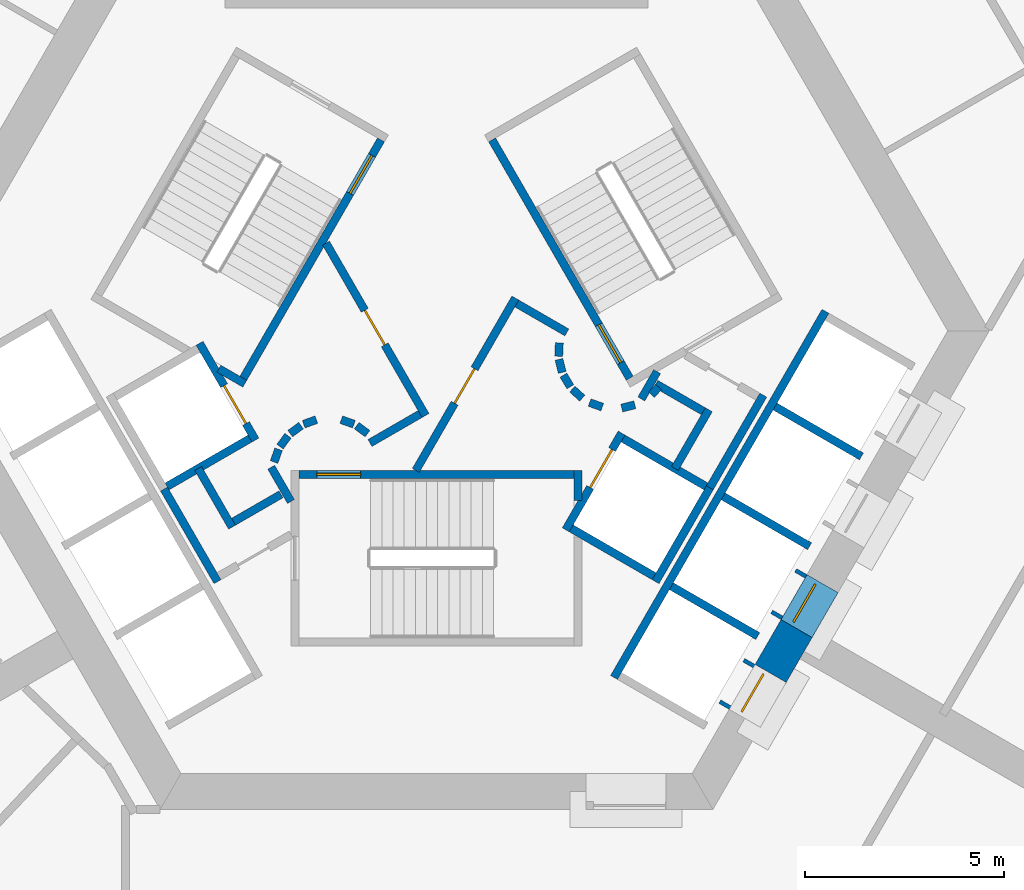
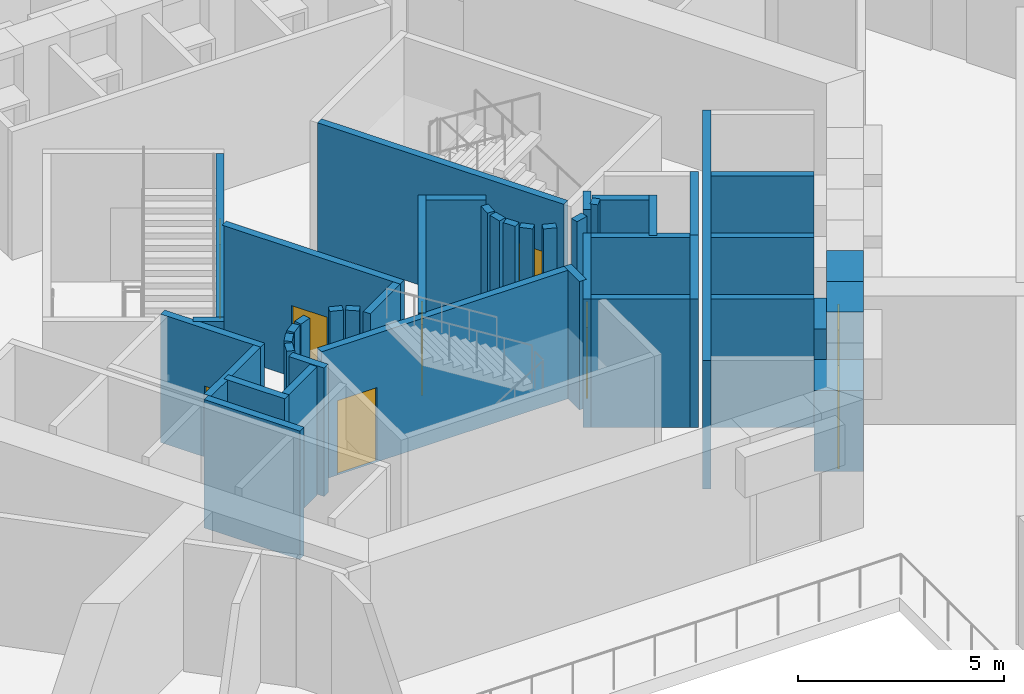
# One storey, part 7 of 15: 44 walls, 9 doors, 9 openings.
"""IFC4 building model written with IfcOpenShell, lengths in metres."""

from ifc_helpers import new_model, si_unit, direction, frame, frame_2d, origin, place, context, subcontext, project, spatial, polyline, rectangle, outline, extrude, material, layer, layer_set, type_object, element, fill, save


model = new_model("IFC4")

# Units and contexts
model_context = context("Model", 3, precision=1e-05, world=origin(), true_north=direction((0.0, 1.0)))
body_context = subcontext(model_context, "Body", "Model", "MODEL_VIEW")
ifc_project = project(units=[si_unit("LENGTHUNIT", "METRE"), si_unit("AREAUNIT", "SQUARE_METRE"), si_unit("VOLUMEUNIT", "CUBIC_METRE"), si_unit("PLANEANGLEUNIT", "RADIAN"), si_unit("MASSUNIT", "GRAM", prefix="KILO")], contexts=[model_context])

# Site, building, storey
site_placement = place(None, origin())
site = spatial("IfcSite", under=ifc_project, at=site_placement, CompositionType="ELEMENT")
building_placement = place(site_placement, origin())
building = spatial("IfcBuilding", under=site, at=building_placement, Name="Entoto Arch Interchange Tower", CompositionType="ELEMENT")
storey_placement = place(building_placement, frame((0.0, 0.0, 107.60009765625)))
storey = spatial("IfcBuildingStorey", under=building, at=storey_placement, Name="L23", CompositionType="ELEMENT", Elevation=107.60009765625)

# Walls
ifc_material_1 = material(Name="Concrete C60/75", Category="concrete")
ifc_layer_1 = layer(ifc_material_1, 0.89990234375)
ifc_layer_set_1 = layer_set([ifc_layer_1], Name="Concrete C60/75")
wall_type_1 = type_object("IfcWallType", Name="Core wall 900 C60/75", PredefinedType="SHEAR", material=ifc_layer_set_1)
wall_1_placement = place(storey_placement, frame((0.0, 0.0, -0.400146484375)))
element("IfcWall", 1, at=wall_1_placement, inside=storey, type_object=wall_type_1, Name="Core wall SE L23", PredefinedType="SHEAR", context=body_context, shape_type="SweptSolid", body=[
    extrude(outline(polyline([(9.4169921875, -5.18896484375), (8.637939453125, -4.739013671875), (7.988037109375, -5.864013671875), (8.76708984375, -6.31396484375), (9.4169921875, -5.18896484375)])), origin(), (0.0, 0.0, 1.0), 4.199951171875),
])
wall_2_placement = place(storey_placement, frame((0.0, 0.0, 3.599853515625)))
element("IfcWall", 2, at=wall_2_placement, inside=storey, type_object=wall_type_1, Name="Core wall lintel SE L23", PredefinedType="SHEAR", context=body_context, shape_type="SweptSolid", body=[
    extrude(outline(polyline([(10.06689453125, -4.06298828125), (9.2880859375, -3.613037109375), (8.637939453125, -4.739013671875), (9.4169921875, -5.18896484375), (10.06689453125, -4.06298828125)])), origin(), (0.0, 0.0, 1.0), 0.199951171875),
])

# Wall, opening, door
ifc_material_2 = material(Name="Concrete C40/50", Category="concrete")
ifc_layer_2 = layer(ifc_material_2, 1.199951171875)
ifc_layer_set_2 = layer_set([ifc_layer_2], Name="Concrete C40/50")
wall_type_2 = type_object("IfcWallType", Name="LIFT LANDING INFILL WALL", PredefinedType="STANDARD", material=ifc_layer_set_2)
wall_3_placement = place(storey_placement, frame((7.597900390625, -7.139892578125, 0.0), z_axis=(0.0, 0.0, 1.0), x_axis=(0.500362116554, 0.865816234728, 0.0)))
wall_3 = element("IfcWall", 3, at=wall_3_placement, inside=storey, type_object=wall_type_2, Name="Lift landing infill wall LR5 L23", PredefinedType="STANDARD", context=body_context, shape_type="SweptSolid", body=[
    extrude(rectangle(XDim=1.29931640625, YDim=1.199951171875, at=frame_2d((0.649658203125, 0.0))), origin(), (0.0, 0.0, 1.0), 2.39990234375),
])
opening_1_placement = place(wall_3_placement, frame((0.10009765625, 0.0, 0.0)))
opening_1 = element("IfcOpeningElement", 4, at=opening_1_placement, cuts=wall_3, Name="Opening LD-LR5-L23", PredefinedType="OPENING", context=body_context, shape_type="SweptSolid", body=[
    extrude(rectangle(XDim=1.10009765625, YDim=2.300048828125, at=frame_2d((0.550048828125, 1.14990234375))), frame((0.0, 0.60986328125, 0.0), z_axis=(0.0, -1.0, 0.0), x_axis=(1.0, 0.0, 0.0)), (0.0, 0.0, 1.0), 1.219970703125),
])
ifc_material_3 = material(Name="Stainless steel 1.4301 panels", Category="steel")
door_type_1 = type_object("IfcDoorType", Name="LIFT LANDING DOOR LD2 1100x2300", OperationType="SLIDING_TO_LEFT", PredefinedType="DOOR", material=ifc_material_3)
door_1_placement = place(opening_1_placement, origin())
door_1 = element("IfcDoor", 5, at=door_1_placement, inside=storey, type_object=door_type_1, Name="Lift landing door LR5 L23", OperationType="SLIDING_TO_LEFT", OverallHeight=2.300048828125, OverallWidth=1.10009765625, PredefinedType="DOOR", context=body_context, shape_type="SweptSolid", body=[
    extrude(rectangle(XDim=1.10009765625, YDim=2.300048828125, at=frame_2d((0.550048828125, 1.14990234375))), frame((0.0, 0.02490234375, 0.0), z_axis=(0.0, -1.0, 0.0), x_axis=(1.0, 0.0, 0.0)), (0.0, 0.0, 1.0), 0.050048828125),
])
fill(opening_1, door_1)

wall_4_placement = place(storey_placement, frame((8.89794921875, -4.888916015625, 0.0), z_axis=(0.0, 0.0, 1.0), x_axis=(0.500036693733, 0.866004217611, 0.0)))
wall_4 = element("IfcWall", 6, at=wall_4_placement, inside=storey, type_object=wall_type_2, Name="Lift landing infill wall LR6 L23", PredefinedType="STANDARD", context=body_context, shape_type="SweptSolid", body=[
    extrude(rectangle(XDim=1.30029296875, YDim=1.199951171875, at=frame_2d((0.650146484375, 0.0))), origin(), (0.0, 0.0, 1.0), 2.39990234375),
])
opening_2_placement = place(wall_4_placement, frame((0.10009765625, 0.0, 0.0)))
opening_2 = element("IfcOpeningElement", 7, at=opening_2_placement, cuts=wall_4, Name="Opening LD-LR6-L23", PredefinedType="OPENING", context=body_context, shape_type="SweptSolid", body=[
    extrude(rectangle(XDim=1.10009765625, YDim=2.300048828125, at=frame_2d((0.550048828125, 1.14990234375))), frame((0.0, 0.60986328125, 0.0), z_axis=(0.0, -1.0, 0.0), x_axis=(1.0, 0.0, 0.0)), (0.0, 0.0, 1.0), 1.219970703125),
])
door_2_placement = place(opening_2_placement, origin())
door_2 = element("IfcDoor", 8, at=door_2_placement, inside=storey, type_object=door_type_1, Name="Lift landing door LR6 L23", OperationType="SLIDING_TO_LEFT", OverallHeight=2.300048828125, OverallWidth=1.10009765625, PredefinedType="DOOR", context=body_context, shape_type="SweptSolid", body=[
    extrude(rectangle(XDim=1.10009765625, YDim=2.300048828125, at=frame_2d((0.550048828125, 1.14990234375))), frame((0.0, 0.02490234375, 0.0), z_axis=(0.0, -1.0, 0.0), x_axis=(1.0, 0.0, 0.0)), (0.0, 0.0, 1.0), 0.050048828125),
])
fill(opening_2, door_2)

ifc_layer_3 = layer(ifc_material_2, 0.199951171875)
ifc_layer_set_3 = layer_set([ifc_layer_3], Name="Concrete C40/50")
wall_type_3 = type_object("IfcWallType", Name="LIFT SHAFT WALL 200", PredefinedType="STANDARD", material=ifc_layer_set_3)
wall_5_placement = place(storey_placement, frame((-5.93994140625, 2.18798828125, 0.0), z_axis=(0.0, 0.0, 1.0), x_axis=(0.49994636267, -0.866056369097, 0.0)))
wall_5 = element("IfcWall", 9, at=wall_5_placement, inside=storey, type_object=wall_type_3, Name="Shaft wall SW1 front", PredefinedType="STANDARD", context=body_context, shape_type="SweptSolid", body=[
    extrude(rectangle(XDim=2.800048828125, YDim=0.199951171875, at=frame_2d((1.39990234375, 0.0))), origin(), (0.0, 0.0, 1.0), 3.7998046875),
])
opening_3_placement = place(wall_5_placement, frame((1.22509765625, 0.0, 0.0)))
opening_3 = element("IfcOpeningElement", 10, at=opening_3_placement, cuts=wall_5, Name="Opening LD-FF2-L23", PredefinedType="OPENING", context=body_context, shape_type="SweptSolid", body=[
    extrude(rectangle(XDim=1.10009765625, YDim=2.10009765625, at=frame_2d((0.550048828125, 1.050048828125))), frame((0.0, 0.10986328125, 0.0), z_axis=(0.0, -1.0, 0.0), x_axis=(1.0, 0.0, 0.0)), (0.0, 0.0, 1.0), 0.219970703125),
])
door_type_2 = type_object("IfcDoorType", Name="LIFT LANDING DOOR LD1 1100x2100", OperationType="SLIDING_TO_LEFT", PredefinedType="DOOR", material=ifc_material_3)
door_3_placement = place(opening_3_placement, origin())
door_3 = element("IfcDoor", 11, at=door_3_placement, inside=storey, type_object=door_type_2, Name="Lift landing door FF2 L23", OperationType="SLIDING_TO_LEFT", OverallHeight=2.10009765625, OverallWidth=1.10009765625, PredefinedType="DOOR", context=body_context, shape_type="SweptSolid", body=[
    extrude(rectangle(XDim=1.10009765625, YDim=2.10009765625, at=frame_2d((0.550048828125, 1.050048828125))), frame((0.0, 0.02490234375, 0.0), z_axis=(0.0, -1.0, 0.0), x_axis=(1.0, 0.0, 0.0)), (0.0, 0.0, 1.0), 0.050048828125),
])
fill(opening_3, door_3)

# Wall
wall_6_placement = place(storey_placement, frame((-4.677001953125, -0.199951171875, 0.0), z_axis=(0.0, 0.0, 1.0), x_axis=(-0.865973769406, -0.500089422704, 0.0)))
element("IfcWall", 12, at=wall_6_placement, inside=storey, type_object=wall_type_3, Name="Shaft wall SW1 cross 2", PredefinedType="STANDARD", context=body_context, shape_type="SweptSolid", body=[
    extrude(rectangle(XDim=2.3994140625, YDim=0.199951171875, at=frame_2d((1.19970703125, 0.0))), origin(), (0.0, 0.0, 1.0), 3.7998046875),
])

# Wall, opening, door
wall_7_placement = place(storey_placement, frame((3.239990234375, -2.488037109375, 0.0), z_axis=(0.0, 0.0, 1.0), x_axis=(0.49994636267, 0.866056369097, 0.0)))
wall_7 = element("IfcWall", 13, at=wall_7_placement, inside=storey, type_object=wall_type_3, Name="Shaft wall SE1 front", PredefinedType="STANDARD", context=body_context, shape_type="SweptSolid", body=[
    extrude(rectangle(XDim=2.800048828125, YDim=0.199951171875, at=frame_2d((1.39990234375, 0.0))), origin(), (0.0, 0.0, 1.0), 3.7998046875),
])
opening_4_placement = place(wall_7_placement, frame((1.22509765625, 0.0, 0.0)))
opening_4 = element("IfcOpeningElement", 14, at=opening_4_placement, cuts=wall_7, Name="Opening LD-FF1-L23", PredefinedType="OPENING", context=body_context, shape_type="SweptSolid", body=[
    extrude(rectangle(XDim=1.10009765625, YDim=2.10009765625, at=frame_2d((0.550048828125, 1.050048828125))), frame((0.0, 0.10986328125, 0.0), z_axis=(0.0, -1.0, 0.0), x_axis=(1.0, 0.0, 0.0)), (0.0, 0.0, 1.0), 0.219970703125),
])
door_4_placement = place(opening_4_placement, origin())
door_4 = element("IfcDoor", 15, at=door_4_placement, inside=storey, type_object=door_type_2, Name="Lift landing door FF1 L23", OperationType="SLIDING_TO_LEFT", OverallHeight=2.10009765625, OverallWidth=1.10009765625, PredefinedType="DOOR", context=body_context, shape_type="SweptSolid", body=[
    extrude(rectangle(XDim=1.10009765625, YDim=2.10009765625, at=frame_2d((0.550048828125, 1.050048828125))), frame((0.0, 0.02490234375, 0.0), z_axis=(0.0, -1.0, 0.0), x_axis=(1.0, 0.0, 0.0)), (0.0, 0.0, 1.0), 0.050048828125),
])
fill(opening_4, door_4)

# Walls
wall_8_placement = place(storey_placement, frame((5.491943359375, -3.7880859375, 0.0), z_axis=(0.0, 0.0, 1.0), x_axis=(0.500011755427, 0.866018616679, 0.0)))
element("IfcWall", 16, at=wall_8_placement, inside=storey, type_object=wall_type_3, Name="Shaft wall SE1 back", PredefinedType="STANDARD", context=body_context, shape_type="SweptSolid", body=[
    extrude(rectangle(XDim=2.80029296875, YDim=0.199951171875, at=frame_2d((1.400146484375, 0.0))), origin(), (0.0, 0.0, 1.0), 3.7998046875),
])
wall_9_placement = place(storey_placement, frame((3.376953125, -2.451904296875, 0.0), z_axis=(0.0, 0.0, 1.0), x_axis=(0.865955154139, -0.50012165622, 0.0)))
element("IfcWall", 17, at=wall_9_placement, inside=storey, type_object=wall_type_3, Name="Shaft wall SE1 cross 1", PredefinedType="STANDARD", context=body_context, shape_type="SweptSolid", body=[
    extrude(rectangle(XDim=2.39990234375, YDim=0.199951171875, at=frame_2d((1.199951171875, 0.0))), origin(), (0.0, 0.0, 1.0), 3.7998046875),
])
wall_10_placement = place(storey_placement, frame((4.677001953125, -0.199951171875, 0.0), z_axis=(0.0, 0.0, 1.0), x_axis=(0.865973769406, -0.500089422704, 0.0)))
element("IfcWall", 18, at=wall_10_placement, inside=storey, type_object=wall_type_3, Name="Shaft wall SE1 cross 2", PredefinedType="STANDARD", context=body_context, shape_type="SweptSolid", body=[
    extrude(rectangle(XDim=2.3994140625, YDim=0.199951171875, at=frame_2d((1.19970703125, 0.0))), origin(), (0.0, 0.0, 1.0), 3.7998046875),
])
wall_11_placement = place(storey_placement, frame((4.450927734375, -6.18994140625, 0.0), z_axis=(0.0, 0.0, 1.0), x_axis=(0.50000090737, 0.866024879913, 0.0)))
element("IfcWall", 19, at=wall_11_placement, inside=storey, type_object=wall_type_3, Name="Shaft wall SE3 front", PredefinedType="STANDARD", context=body_context, shape_type="SweptSolid", body=[
    extrude(rectangle(XDim=10.60009765625, YDim=0.199951171875, at=frame_2d((5.300048828125, 0.0))), origin(), (0.0, 0.0, 1.0), 3.7998046875),
])
for number, where, z_axis, x_axis, name in (
    (20, (5.887939453125, -3.902099609375, 0.0), (0.0, 0.0, 1.0), (0.866022959057, -0.500004234368, 0.0), "Shaft wall SE3 cross 2"),
    (21, (7.18798828125, -1.64990234375, 0.0), (0.0, 0.0, 1.0), (0.866022959057, -0.500004234368, 0.0), "Shaft wall SE3 cross 3"),
    (22, (8.488037109375, 0.60205078125, 0.0), (0.0, 0.0, 1.0), (0.866022959057, -0.500004234368, 0.0), "Shaft wall SE3 cross 4"),
):
    element("IfcWall", number, at=place(storey_placement, frame(where, z_axis=z_axis, x_axis=x_axis)), inside=storey, type_object=wall_type_3, Name=name, PredefinedType="STANDARD", context=body_context, shape_type="SweptSolid", body=[
        extrude(rectangle(XDim=2.5, YDim=0.199951171875, at=frame_2d((1.25, 0.0))), origin(), (0.0, 0.0, 1.0), 3.7998046875),
    ])
ifc_material_4 = material(Name="Gypsum board partition on steel studs", Category="steel")
ifc_layer_4 = layer(ifc_material_4, 0.199951171875)
ifc_layer_set_4 = layer_set([ifc_layer_4], Name="Gypsum board partition on steel studs")
wall_type_4 = type_object("IfcWallType", Name="PARTITION 200", PredefinedType="PARTITIONING", material=ifc_layer_set_4)
wall_12_placement = place(storey_placement, frame((5.389892578125, 0.89794921875, 0.0), z_axis=(0.0, 0.0, 1.0), x_axis=(0.673828488714, 0.738887791073, 0.0)))
element("IfcWall", 23, at=wall_12_placement, inside=storey, type_object=wall_type_4, Name="wall:L23:p084", PredefinedType="PARTITIONING", context=body_context, shape_type="SweptSolid", body=[
    extrude(rectangle(XDim=0.2626953125, YDim=0.199951171875, at=frame_2d((0.13134765625, 0.0))), origin(), (0.0, 0.0, 1.0), 3.7998046875),
])
wall_13_placement = place(storey_placement, frame((5.4990234375, 1.172119140625, 0.0), z_axis=(0.0, 0.0, 1.0), x_axis=(0.866333505267, -0.499465972466, 0.0)))
element("IfcWall", 24, at=wall_13_placement, inside=storey, type_object=wall_type_4, Name="wall:L23:p085", PredefinedType="PARTITIONING", context=body_context, shape_type="SweptSolid", body=[
    extrude(rectangle(XDim=1.37353515625, YDim=0.199951171875, at=frame_2d((0.686767578125, 0.0))), origin(), (0.0, 0.0, 1.0), 3.7998046875),
])
wall_14_placement = place(storey_placement, frame((6.825927734375, 0.52197265625, 0.0), z_axis=(0.0, 0.0, 1.0), x_axis=(-0.500016722714, -0.866015748706, 0.0)))
element("IfcWall", 25, at=wall_14_placement, inside=storey, type_object=wall_type_4, Name="wall:L23:p086", PredefinedType="PARTITIONING", context=body_context, shape_type="SweptSolid", body=[
    extrude(rectangle(XDim=1.69970703125, YDim=0.199951171875, at=frame_2d((0.849853515625, 0.0))), origin(), (0.0, 0.0, 1.0), 3.7998046875),
])
wall_15_placement = place(storey_placement, frame((8.19189453125, 0.887939453125, 0.0), z_axis=(0.0, 0.0, 1.0), x_axis=(-0.499940625693, -0.866059680843, 0.0)))
element("IfcWall", 26, at=wall_15_placement, inside=storey, type_object=wall_type_4, Name="wall:L23:p088", PredefinedType="PARTITIONING", context=body_context, shape_type="SweptSolid", body=[
    extrude(rectangle(XDim=2.679931640625, YDim=0.199951171875, at=frame_2d((1.33984375, 0.0))), origin(), (0.0, 0.0, 1.0), 3.7998046875),
])
wall_16_placement = place(storey_placement, frame((5.135009765625, 0.79296875, 0.0), z_axis=(0.0, 0.0, 1.0), x_axis=(0.499526442893, 0.866298639529, 0.0)))
element("IfcWall", 27, at=wall_16_placement, inside=storey, type_object=wall_type_4, Name="wall:L23:p089", PredefinedType="PARTITIONING", context=body_context, shape_type="SweptSolid", body=[
    extrude(rectangle(XDim=0.790771484375, YDim=0.199951171875, at=frame_2d((0.3955078125, 0.0))), origin(), (0.0, 0.0, 1.0), 3.7998046875),
])
wall_17_placement = place(storey_placement, frame((-3.89990234375, -1.59912109375, 0.0), z_axis=(0.0, 0.0, 1.0), x_axis=(-0.865969445389, -0.500096910261, 0.0)))
element("IfcWall", 28, at=wall_17_placement, inside=storey, type_object=wall_type_4, Name="wall:L23:p090", PredefinedType="PARTITIONING", context=body_context, shape_type="SweptSolid", body=[
    extrude(rectangle(XDim=1.373291015625, YDim=0.199951171875, at=frame_2d((0.6865234375, 0.0))), origin(), (0.0, 0.0, 1.0), 3.7998046875),
])
wall_18_placement = place(storey_placement, frame((-5.1259765625, -2.422119140625, 0.0), z_axis=(0.0, 0.0, 1.0), x_axis=(-0.500062241894, 0.865989465428, 0.0)))
element("IfcWall", 29, at=wall_18_placement, inside=storey, type_object=wall_type_4, Name="wall:L23:p091", PredefinedType="PARTITIONING", context=body_context, shape_type="SweptSolid", body=[
    extrude(rectangle(XDim=1.699951171875, YDim=0.199951171875, at=frame_2d((0.85009765625, 0.0))), origin(), (0.0, 0.0, 1.0), 3.7998046875),
])
wall_19_placement = place(storey_placement, frame((-5.491943359375, -3.7880859375, 0.0), z_axis=(0.0, 0.0, 1.0), x_axis=(-0.500008949224, 0.866020236886, 0.0)))
element("IfcWall", 30, at=wall_19_placement, inside=storey, type_object=wall_type_4, Name="wall:L23:p093", PredefinedType="PARTITIONING", context=body_context, shape_type="SweptSolid", body=[
    extrude(rectangle(XDim=2.68017578125, YDim=0.199951171875, at=frame_2d((1.340087890625, 0.0))), origin(), (0.0, 0.0, 1.0), 3.7998046875),
])
wall_20_placement = place(storey_placement, frame((-4.14501953125, -0.919921875, 0.0), z_axis=(0.0, 0.0, 1.0), x_axis=(0.499743786207, -0.866173278362, 0.0)))
element("IfcWall", 31, at=wall_20_placement, inside=storey, type_object=wall_type_4, Name="wall:L23:p094", PredefinedType="PARTITIONING", context=body_context, shape_type="SweptSolid", body=[
    extrude(rectangle(XDim=0.99072265625, YDim=0.199951171875, at=frame_2d((0.495361328125, 0.0))), origin(), (0.0, 0.0, 1.0), 3.7998046875),
])

# Wall, opening, door
wall_21_placement = place(storey_placement, frame((-0.52001953125, -1.0, 0.0), z_axis=(0.0, 0.0, 1.0), x_axis=(0.50011622646, 0.865958290007, 0.0)))
wall_21 = element("IfcWall", 32, at=wall_21_placement, inside=storey, type_object=wall_type_4, Name="wall:L23:p099", PredefinedType="PARTITIONING", context=body_context, shape_type="SweptSolid", body=[
    extrude(rectangle(XDim=4.990966796875, YDim=0.199951171875, at=frame_2d((2.49560546875, 0.0))), origin(), (0.0, 0.0, 1.0), 3.7998046875),
])
opening_5_placement = place(wall_21_placement, frame((1.945068359375, 0.0, 0.0)))
opening_5 = element("IfcOpeningElement", 33, at=opening_5_placement, cuts=wall_21, Name="Opening L23-D36", PredefinedType="OPENING", context=body_context, shape_type="SweptSolid", body=[
    extrude(rectangle(XDim=1.0, YDim=2.10009765625, at=frame_2d((0.5, 1.050048828125))), frame((0.0, 0.10986328125, 0.0), z_axis=(0.0, -1.0, 0.0), x_axis=(1.0, 0.0, 0.0)), (0.0, 0.0, 1.0), 0.219970703125),
])
ifc_material_5 = material(Name="Fire-rated Steel S235 door and frame", Category="steel")
door_type_3 = type_object("IfcDoorType", Name="DOOR FD-10 1000x2100", OperationType="SINGLE_SWING_LEFT", PredefinedType="DOOR", material=ifc_material_5)
door_5_placement = place(opening_5_placement, origin())
door_5 = element("IfcDoor", 34, at=door_5_placement, inside=storey, type_object=door_type_3, Name="door:L23:36", OperationType="SINGLE_SWING_LEFT", OverallHeight=2.10009765625, OverallWidth=1.0, PredefinedType="DOOR", context=body_context, shape_type="SweptSolid", body=[
    extrude(rectangle(XDim=1.0, YDim=2.10009765625, at=frame_2d((0.5, 1.050048828125))), frame((0.0, 0.02490234375, 0.0), z_axis=(0.0, -1.0, 0.0), x_axis=(1.0, 0.0, 0.0)), (0.0, 0.0, 1.0), 0.050048828125),
])
fill(opening_5, door_5)

# Walls
wall_22_placement = place(storey_placement, frame((2.011962890625, 3.18603515625, 0.0), z_axis=(0.0, 0.0, 1.0), x_axis=(0.865891012941, -0.500232699559, 0.0)))
element("IfcWall", 35, at=wall_22_placement, inside=storey, type_object=wall_type_4, Name="wall:L23:p100", PredefinedType="PARTITIONING", context=body_context, shape_type="SweptSolid", body=[
    extrude(rectangle(XDim=1.449462890625, YDim=0.199951171875, at=frame_2d((0.724609375, 0.0))), origin(), (0.0, 0.0, 1.0), 3.7998046875),
])
wall_23_placement = place(storey_placement, frame((3.0791015625, 2.198974609375, 0.0), z_axis=(0.0, 0.0, 1.0), x_axis=(-0.047771483479, -0.998858290933, 0.0)))
element("IfcWall", 36, at=wall_23_placement, inside=storey, type_object=wall_type_4, Name="wall:L23:p101", PredefinedType="PARTITIONING", context=body_context, shape_type="SweptSolid", body=[
    extrude(rectangle(XDim=0.33740234375, YDim=0.199951171875, at=frame_2d((0.168701171875, 0.0))), origin(), (0.0, 0.0, 1.0), 3.7998046875),
])
wall_24_placement = place(storey_placement, frame((3.070068359375, 1.785888671875, 0.0), z_axis=(0.0, 0.0, 1.0), x_axis=(0.242705583207, -0.970099994784, 0.0)))
element("IfcWall", 37, at=wall_24_placement, inside=storey, type_object=wall_type_4, Name="wall:L23:p102", PredefinedType="PARTITIONING", context=body_context, shape_type="SweptSolid", body=[
    extrude(rectangle(XDim=0.337890625, YDim=0.199951171875, at=frame_2d((0.1689453125, 0.0))), origin(), (0.0, 0.0, 1.0), 3.7998046875),
])
for number, where, z_axis, x_axis, name in (
    (38, (3.181884765625, 1.387939453125, 0.0), (0.0, 0.0, 1.0), (0.512474702713, -0.85870232274, 0.0), "wall:L23:p103"),
    (39, (3.404052734375, 1.0390625, 0.0), (0.0, 0.0, 1.0), (0.740267097712, -0.672312891476, 0.0), "wall:L23:p104"),
):
    element("IfcWall", number, at=place(storey_placement, frame(where, z_axis=z_axis, x_axis=x_axis)), inside=storey, type_object=wall_type_4, Name=name, PredefinedType="PARTITIONING", context=body_context, shape_type="SweptSolid", body=[
        extrude(rectangle(XDim=0.337646484375, YDim=0.199951171875, at=frame_2d((0.1689453125, 0.0))), origin(), (0.0, 0.0, 1.0), 3.7998046875),
    ])
wall_25_placement = place(storey_placement, frame((3.837890625, 0.701904296875, 0.0), z_axis=(0.0, 0.0, 1.0), x_axis=(0.941035081519, -0.338308993895, 0.0)))
element("IfcWall", 40, at=wall_25_placement, inside=storey, type_object=wall_type_4, Name="wall:L23:p105", PredefinedType="PARTITIONING", context=body_context, shape_type="SweptSolid", body=[
    extrude(rectangle(XDim=0.3369140625, YDim=0.199951171875, at=frame_2d((0.16845703125, 0.0))), origin(), (0.0, 0.0, 1.0), 3.7998046875),
])
wall_26_placement = place(storey_placement, frame((4.64404296875, 0.56396484375, 0.0), z_axis=(0.0, 0.0, 1.0), x_axis=(0.969929076366, 0.243387729394, 0.0)))
element("IfcWall", 41, at=wall_26_placement, inside=storey, type_object=wall_type_4, Name="wall:L23:p106", PredefinedType="PARTITIONING", context=body_context, shape_type="SweptSolid", body=[
    extrude(rectangle(XDim=0.337158203125, YDim=0.199951171875, at=frame_2d((0.16845703125, 0.0))), origin(), (0.0, 0.0, 1.0), 3.7998046875),
])

# Wall, opening, door
wall_27_placement = place(storey_placement, frame((-2.77099609375, 4.699951171875, 0.0), z_axis=(0.0, 0.0, 1.0), x_axis=(0.499969479948, -0.866043023828, 0.0)))
wall_27 = element("IfcWall", 42, at=wall_27_placement, inside=storey, type_object=wall_type_4, Name="wall:L23:p107", PredefinedType="PARTITIONING", context=body_context, shape_type="SweptSolid", body=[
    extrude(rectangle(XDim=4.990478515625, YDim=0.199951171875, at=frame_2d((2.4951171875, 0.0))), origin(), (0.0, 0.0, 1.0), 3.7998046875),
])
opening_6_placement = place(wall_27_placement, frame((1.945068359375, 0.0, 0.0)))
opening_6 = element("IfcOpeningElement", 43, at=opening_6_placement, cuts=wall_27, Name="Opening L23-D37", PredefinedType="OPENING", context=body_context, shape_type="SweptSolid", body=[
    extrude(rectangle(XDim=1.0, YDim=2.10009765625, at=frame_2d((0.5, 1.050048828125))), frame((0.0, 0.10986328125, 0.0), z_axis=(0.0, -1.0, 0.0), x_axis=(1.0, 0.0, 0.0)), (0.0, 0.0, 1.0), 0.219970703125),
])
door_6_placement = place(opening_6_placement, origin())
door_6 = element("IfcDoor", 44, at=door_6_placement, inside=storey, type_object=door_type_3, Name="door:L23:37", OperationType="SINGLE_SWING_RIGHT", OverallHeight=2.10009765625, OverallWidth=1.0, PredefinedType="DOOR", context=body_context, shape_type="SweptSolid", body=[
    extrude(rectangle(XDim=1.0, YDim=2.10009765625, at=frame_2d((0.5, 1.050048828125))), frame((0.0, 0.02490234375, 0.0), z_axis=(0.0, -1.0, 0.0), x_axis=(1.0, 0.0, 0.0)), (0.0, 0.0, 1.0), 0.050048828125),
])
fill(opening_6, door_6)

# Walls
wall_28_placement = place(storey_placement, frame((-0.412109375, 0.4140625, 0.0), z_axis=(0.0, 0.0, 1.0), x_axis=(-0.866017369001, -0.500013916395, 0.0)))
element("IfcWall", 45, at=wall_28_placement, inside=storey, type_object=wall_type_4, Name="wall:L23:p108", PredefinedType="PARTITIONING", context=body_context, shape_type="SweptSolid", body=[
    extrude(rectangle(XDim=1.4501953125, YDim=0.199951171875, at=frame_2d((0.72509765625, 0.0))), origin(), (0.0, 0.0, 1.0), 3.7998046875),
])
wall_29_placement = place(storey_placement, frame((-1.73095703125, -0.076904296875, 0.0), z_axis=(0.0, 0.0, 1.0), x_axis=(-0.804311165252, 0.594208338422, 0.0)))
element("IfcWall", 46, at=wall_29_placement, inside=storey, type_object=wall_type_4, Name="wall:L23:p109", PredefinedType="PARTITIONING", context=body_context, shape_type="SweptSolid", body=[
    extrude(rectangle(XDim=0.338134765625, YDim=0.199951171875, at=frame_2d((0.1689453125, 0.0))), origin(), (0.0, 0.0, 1.0), 3.7998046875),
])
wall_30_placement = place(storey_placement, frame((-2.070068359375, 0.159912109375, 0.0), z_axis=(0.0, 0.0, 1.0), x_axis=(-0.942199461132, 0.335052496547, 0.0)))
element("IfcWall", 47, at=wall_30_placement, inside=storey, type_object=wall_type_4, Name="wall:L23:p110", PredefinedType="PARTITIONING", context=body_context, shape_type="SweptSolid", body=[
    extrude(rectangle(XDim=0.33740234375, YDim=0.199951171875, at=frame_2d((0.168701171875, 0.0))), origin(), (0.0, 0.0, 1.0), 3.7998046875),
])
wall_31_placement = place(storey_placement, frame((-3.011962890625, 0.27294921875, 0.0), z_axis=(0.0, 0.0, 1.0), x_axis=(-0.942280615813, -0.334824194261, 0.0)))
element("IfcWall", 48, at=wall_31_placement, inside=storey, type_object=wall_type_4, Name="wall:L23:p111", PredefinedType="PARTITIONING", context=body_context, shape_type="SweptSolid", body=[
    extrude(rectangle(XDim=0.337646484375, YDim=0.199951171875, at=frame_2d((0.1689453125, 0.0))), origin(), (0.0, 0.0, 1.0), 3.7998046875),
])
wall_32_placement = place(storey_placement, frame((-3.39697265625, 0.1240234375, 0.0), z_axis=(0.0, 0.0, 1.0), x_axis=(-0.804311165252, -0.594208338422, 0.0)))
element("IfcWall", 49, at=wall_32_placement, inside=storey, type_object=wall_type_4, Name="wall:L23:p112", PredefinedType="PARTITIONING", context=body_context, shape_type="SweptSolid", body=[
    extrude(rectangle(XDim=0.338134765625, YDim=0.199951171875, at=frame_2d((0.1689453125, 0.0))), origin(), (0.0, 0.0, 1.0), 3.7998046875),
])
wall_33_placement = place(storey_placement, frame((-3.722900390625, -0.131103515625, 0.0), z_axis=(0.0, 0.0, 1.0), x_axis=(-0.594675113454, -0.803966112121, 0.0)))
element("IfcWall", 50, at=wall_33_placement, inside=storey, type_object=wall_type_4, Name="wall:L23:p113", PredefinedType="PARTITIONING", context=body_context, shape_type="SweptSolid", body=[
    extrude(rectangle(XDim=0.33837890625, YDim=0.199951171875, at=frame_2d((0.169189453125, 0.0))), origin(), (0.0, 0.0, 1.0), 3.7998046875),
])
wall_34_placement = place(storey_placement, frame((-3.9599609375, -0.469970703125, 0.0), z_axis=(0.0, 0.0, 1.0), x_axis=(-0.334824194261, -0.942280615813, 0.0)))
element("IfcWall", 51, at=wall_34_placement, inside=storey, type_object=wall_type_4, Name="wall:L23:p114", PredefinedType="PARTITIONING", context=body_context, shape_type="SweptSolid", body=[
    extrude(rectangle(XDim=0.337646484375, YDim=0.199951171875, at=frame_2d((0.1689453125, 0.0))), origin(), (0.0, 0.0, 1.0), 3.7998046875),
])
ifc_layer_5 = layer(ifc_material_2, 0.199951171875)
ifc_layer_set_5 = layer_set([ifc_layer_5], Name="Concrete C40/50")
wall_type_5 = type_object("IfcWallType", Name="STAIR ENCLOSURE WALL 200", PredefinedType="STANDARD", material=ifc_layer_set_5)
wall_35_placement = place(storey_placement, frame((3.550048828125, -1.0, 0.0), z_axis=(0.0, 0.0, 1.0), x_axis=(0.0, -1.0, 0.0)))
element("IfcWall", 52, at=wall_35_placement, inside=storey, type_object=wall_type_5, Name="Stair wall ST-S far return", PredefinedType="STANDARD", context=body_context, shape_type="SweptSolid", body=[
    extrude(rectangle(XDim=0.7509765625, YDim=0.199951171875, at=frame_2d((0.37548828125, 0.0))), origin(), (0.0, 0.0, 1.0), 3.7998046875),
])

# Wall, opening, door
wall_36_placement = place(storey_placement, frame((-3.449951171875, -1.10009765625, 0.0), z_axis=(0.0, 0.0, 1.0), x_axis=(1.0, 0.0, 0.0)))
wall_36 = element("IfcWall", 53, at=wall_36_placement, inside=storey, type_object=wall_type_5, Name="Stair wall ST-S hall", PredefinedType="STANDARD", context=body_context, shape_type="SweptSolid", body=[
    extrude(rectangle(XDim=6.89990234375, YDim=0.199951171875, at=frame_2d((3.449951171875, 0.0))), origin(), (0.0, 0.0, 1.0), 3.7998046875),
])
opening_7_placement = place(wall_36_placement, frame((0.449951171875, 0.0, 0.0)))
opening_7 = element("IfcOpeningElement", 54, at=opening_7_placement, cuts=wall_36, Name="Opening SD-ST-S-L23", PredefinedType="OPENING", context=body_context, shape_type="SweptSolid", body=[
    extrude(rectangle(XDim=1.10009765625, YDim=2.199951171875, at=frame_2d((0.550048828125, 1.10009765625))), frame((0.0, 0.10986328125, 0.0), z_axis=(0.0, -1.0, 0.0), x_axis=(1.0, 0.0, 0.0)), (0.0, 0.0, 1.0), 0.219970703125),
])
ifc_material_6 = material(Name="Steel S235", Category="steel")
door_type_4 = type_object("IfcDoorType", Name="STAIR DOOR SD1 1100x2200", OperationType="SINGLE_SWING_LEFT", PredefinedType="DOOR", material=ifc_material_6)
door_7_placement = place(opening_7_placement, origin())
door_7 = element("IfcDoor", 55, at=door_7_placement, inside=storey, type_object=door_type_4, Name="Stair door ST-S L23", OperationType="SINGLE_SWING_LEFT", OverallHeight=2.199951171875, OverallWidth=1.10009765625, PredefinedType="DOOR", context=body_context, shape_type="SweptSolid", body=[
    extrude(rectangle(XDim=1.10009765625, YDim=2.199951171875, at=frame_2d((0.550048828125, 1.10009765625))), frame((0.0, 0.02490234375, 0.0), z_axis=(0.0, -1.0, 0.0), x_axis=(1.0, 0.0, 0.0)), (0.0, 0.0, 1.0), 0.050048828125),
])
fill(opening_7, door_7)

wall_37_placement = place(storey_placement, frame((4.843017578125, 1.31201171875, 0.0), z_axis=(0.0, 0.0, 1.0), x_axis=(-0.499963383562, 0.866046543262, 0.0)))
wall_37 = element("IfcWall", 56, at=wall_37_placement, inside=storey, type_object=wall_type_5, Name="Stair wall ST-NE hall", PredefinedType="STANDARD", context=body_context, shape_type="SweptSolid", body=[
    extrude(rectangle(XDim=6.900390625, YDim=0.199951171875, at=frame_2d((3.4501953125, 0.0))), origin(), (0.0, 0.0, 1.0), 3.7998046875),
])
opening_8_placement = place(wall_37_placement, frame((0.449951171875, 0.0, 0.0)))
opening_8 = element("IfcOpeningElement", 57, at=opening_8_placement, cuts=wall_37, Name="Opening SD-ST-NE-L23", PredefinedType="OPENING", context=body_context, shape_type="SweptSolid", body=[
    extrude(rectangle(XDim=1.10009765625, YDim=2.199951171875, at=frame_2d((0.550048828125, 1.10009765625))), frame((0.0, 0.10986328125, 0.0), z_axis=(0.0, -1.0, 0.0), x_axis=(1.0, 0.0, 0.0)), (0.0, 0.0, 1.0), 0.219970703125),
])
door_8_placement = place(opening_8_placement, origin())
door_8 = element("IfcDoor", 58, at=door_8_placement, inside=storey, type_object=door_type_4, Name="Stair door ST-NE L23", OperationType="SINGLE_SWING_LEFT", OverallHeight=2.199951171875, OverallWidth=1.10009765625, PredefinedType="DOOR", context=body_context, shape_type="SweptSolid", body=[
    extrude(rectangle(XDim=1.10009765625, YDim=2.199951171875, at=frame_2d((0.550048828125, 1.10009765625))), frame((0.0, 0.02490234375, 0.0), z_axis=(0.0, -1.0, 0.0), x_axis=(1.0, 0.0, 0.0)), (0.0, 0.0, 1.0), 0.050048828125),
])
fill(opening_8, door_8)

# Wall
wall_38_placement = place(storey_placement, frame((-4.805908203125, 1.176025390625, 0.0), z_axis=(0.0, 0.0, 1.0), x_axis=(-0.866558586415, 0.499075361355, 0.0)))
element("IfcWall", 59, at=wall_38_placement, inside=storey, type_object=wall_type_5, Name="Stair wall ST-NW far return", PredefinedType="STANDARD", context=body_context, shape_type="SweptSolid", body=[
    extrude(rectangle(XDim=0.75146484375, YDim=0.199951171875, at=frame_2d((0.375732421875, 0.0))), origin(), (0.0, 0.0, 1.0), 3.7998046875),
])

# Wall, opening, door
wall_39_placement = place(storey_placement, frame((-1.39306640625, 7.2880859375, 0.0), z_axis=(0.0, 0.0, 1.0), x_axis=(-0.499963383562, -0.866046543262, 0.0)))
wall_39 = element("IfcWall", 60, at=wall_39_placement, inside=storey, type_object=wall_type_5, Name="Stair wall ST-NW hall", PredefinedType="STANDARD", context=body_context, shape_type="SweptSolid", body=[
    extrude(rectangle(XDim=6.900390625, YDim=0.199951171875, at=frame_2d((3.4501953125, 0.0))), origin(), (0.0, 0.0, 1.0), 3.7998046875),
])
opening_9_placement = place(wall_39_placement, frame((0.449951171875, 0.0, 0.0)))
opening_9 = element("IfcOpeningElement", 61, at=opening_9_placement, cuts=wall_39, Name="Opening SD-ST-NW-L23", PredefinedType="OPENING", context=body_context, shape_type="SweptSolid", body=[
    extrude(rectangle(XDim=1.10009765625, YDim=2.199951171875, at=frame_2d((0.550048828125, 1.10009765625))), frame((0.0, 0.10986328125, 0.0), z_axis=(0.0, -1.0, 0.0), x_axis=(1.0, 0.0, 0.0)), (0.0, 0.0, 1.0), 0.219970703125),
])
door_9_placement = place(opening_9_placement, origin())
door_9 = element("IfcDoor", 62, at=door_9_placement, inside=storey, type_object=door_type_4, Name="Stair door ST-NW L23", OperationType="SINGLE_SWING_LEFT", OverallHeight=2.199951171875, OverallWidth=1.10009765625, PredefinedType="DOOR", context=body_context, shape_type="SweptSolid", body=[
    extrude(rectangle(XDim=1.10009765625, YDim=2.199951171875, at=frame_2d((0.550048828125, 1.10009765625))), frame((0.0, 0.02490234375, 0.0), z_axis=(0.0, -1.0, 0.0), x_axis=(1.0, 0.0, 0.0)), (0.0, 0.0, 1.0), 0.050048828125),
])
fill(opening_9, door_9)

save(model, "model.ifc")
